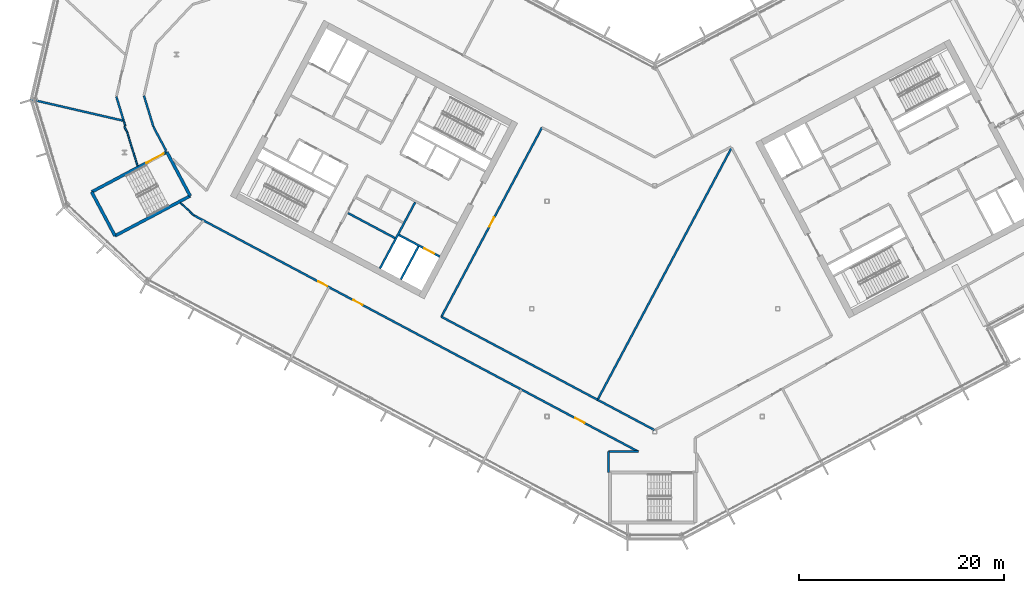
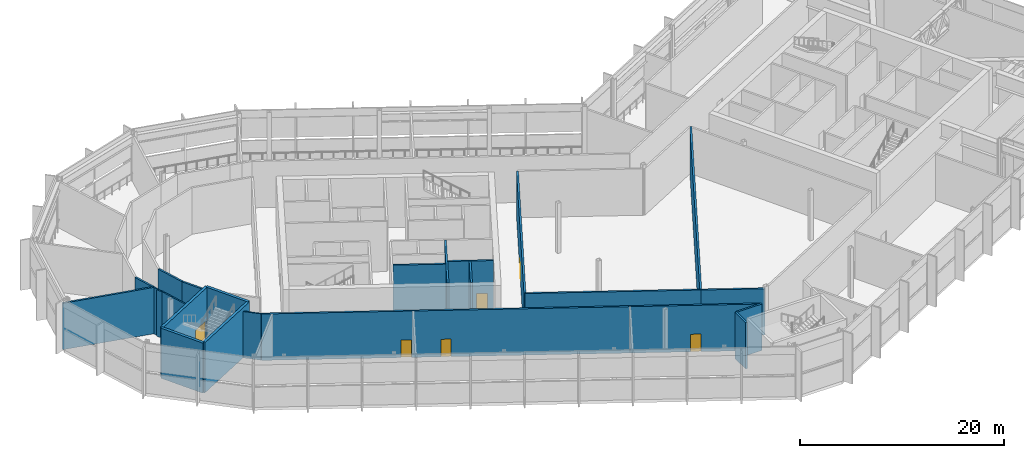
# One storey, part 14 of 33: 24 walls, 6 doors, 6 openings.
"""IFC4 building model written with IfcOpenShell, lengths in metres."""

from ifc_helpers import new_model, si_unit, direction, frame, frame_2d, origin, place, context, subcontext, project, spatial, rectangle, extrude, material, layer, layer_set, type_object, element, fill, save


model = new_model("IFC4")

# Units and contexts
model_context = context("Model", 3, precision=1e-05, world=origin(), true_north=direction((0.0, 1.0)))
body_context = subcontext(model_context, "Body", "Model", "MODEL_VIEW")
ifc_project = project(units=[si_unit("LENGTHUNIT", "METRE"), si_unit("AREAUNIT", "SQUARE_METRE"), si_unit("VOLUMEUNIT", "CUBIC_METRE"), si_unit("PLANEANGLEUNIT", "RADIAN"), si_unit("MASSUNIT", "GRAM", prefix="KILO")], contexts=[model_context])

# Site, building, storey
site_placement = place(None, origin())
site = spatial("IfcSite", under=ifc_project, at=site_placement, CompositionType="ELEMENT")
building_placement = place(site_placement, origin())
building = spatial("IfcBuilding", under=site, at=building_placement, Name="Cormorant Relay Tower", CompositionType="ELEMENT")
storey_placement = place(building_placement, frame((0.0, 0.0, 252.0)))
storey = spatial("IfcBuildingStorey", under=building, at=storey_placement, Name="L56", CompositionType="ELEMENT", Elevation=252.0)

# Walls
ifc_material_1 = material(Name="Concrete 40 MPa", Category="concrete")
ifc_layer_1 = layer(ifc_material_1, 0.199951171875)
ifc_layer_set_1 = layer_set([ifc_layer_1], Name="Core internal wall 200")
wall_type_1 = type_object("IfcWallType", Name="Core internal wall 200", PredefinedType="SOLIDWALL", material=ifc_layer_set_1)
wall_1_placement = place(storey_placement, frame((-25.326416015625, 6.8974609375, 0.0), z_axis=(0.0, 0.0, 1.0), x_axis=(-0.882953967957, 0.469459572775, 0.0)))
element("IfcWall", 1, at=wall_1_placement, inside=storey, type_object=wall_type_1, Name="L56 core A shaft and room wall", PredefinedType="SOLIDWALL", context=body_context, shape_type="SweptSolid", body=[
    extrude(rectangle(XDim=5.199951171875, YDim=0.199951171875, at=frame_2d((2.60009765625, 0.0))), origin(), (0.0, 0.0, 1.0), 6.0),
])
ifc_material_2 = material(Name="Concrete 50 MPa", Category="concrete")
ifc_layer_2 = layer(ifc_material_2, 0.199951171875)
ifc_layer_set_2 = layer_set([ifc_layer_2], Name="Core shaft wall 200")
wall_type_2 = type_object("IfcWallType", Name="Core shaft wall 200", PredefinedType="SHEAR", material=ifc_layer_set_2)
wall_2_placement = place(storey_placement, frame((-23.04296875, 6.07958984375, 0.0), z_axis=(0.0, 0.0, 1.0), x_axis=(-0.469494272526, -0.882935517501, 0.0)))
element("IfcWall", 2, at=wall_2_placement, inside=storey, type_object=wall_type_2, Name="L56 core A shaft wall", PredefinedType="SHEAR", context=body_context, shape_type="SweptSolid", body=[
    extrude(rectangle(XDim=3.64990234375, YDim=0.199951171875, at=frame_2d((1.824951171875, 0.0))), origin(), (0.0, 0.0, 1.0), 6.0),
])
wall_3_placement = place(storey_placement, frame((-23.360107421875, 10.38232421875, 0.0), z_axis=(0.0, 0.0, 1.0), x_axis=(-0.469480409012, -0.88294288918, 0.0)))
element("IfcWall", 3, at=wall_3_placement, inside=storey, type_object=wall_type_2, Name="L56 core A shaft wall", PredefinedType="SHEAR", context=body_context, shape_type="SweptSolid", body=[
    extrude(rectangle(XDim=7.300048828125, YDim=0.199951171875, at=frame_2d((3.64990234375, 0.0))), origin(), (0.0, 0.0, 1.0), 6.0),
])

# Wall, opening, door
wall_4_placement = place(storey_placement, frame((-20.96533203125, 5.088134765625, 0.0), z_axis=(0.0, 0.0, 1.0), x_axis=(-0.882925986334, 0.469512196493, 0.0)))
wall_4 = element("IfcWall", 4, at=wall_4_placement, inside=storey, type_object=wall_type_2, Name="L56 core A shaft wall", PredefinedType="SHEAR", context=body_context, shape_type="SweptSolid", body=[
    extrude(rectangle(XDim=4.5, YDim=0.199951171875, at=frame_2d((2.25, 0.0))), origin(), (0.0, 0.0, 1.0), 6.0),
])
opening_1_placement = place(wall_4_placement, frame((0.60009765625, 0.0, 0.0)))
opening_1 = element("IfcOpeningElement", 5, at=opening_1_placement, cuts=wall_4, Name="Opening LD1-035", PredefinedType="OPENING", context=body_context, shape_type="SweptSolid", body=[
    extrude(rectangle(XDim=1.10009765625, YDim=2.10009765625, at=frame_2d((0.550048828125, 1.050048828125))), frame((0.0, 0.10986328125, 0.0), z_axis=(0.0, -1.0, 0.0), x_axis=(1.0, 0.0, 0.0)), (0.0, 0.0, 1.0), 0.219970703125),
])
ifc_material_3 = material(Name="Stainless steel 316", Category="steel")
door_type_1 = type_object("IfcDoorType", Name="Lift landing door 1100x2100", OperationType="DOUBLE_DOOR_SLIDING", PredefinedType="DOOR", material=ifc_material_3)
door_1_placement = place(opening_1_placement, origin())
door_1 = element("IfcDoor", 6, at=door_1_placement, inside=storey, type_object=door_type_1, Name="FF1 landing door", OperationType="DOUBLE_DOOR_SLIDING", OverallHeight=2.10009765625, OverallWidth=1.10009765625, PredefinedType="DOOR", context=body_context, shape_type="SweptSolid", body=[
    extrude(rectangle(XDim=1.10009765625, YDim=2.10009765625, at=frame_2d((0.550048828125, 1.050048828125))), frame((0.0, 0.02490234375, 0.0), z_axis=(0.0, -1.0, 0.0), x_axis=(1.0, 0.0, 0.0)), (0.0, 0.0, 1.0), 0.050048828125),
])
fill(opening_1, door_1)

# Walls
ifc_material_4 = material(Name="Fire-rated gypsum board partition")
ifc_layer_3 = layer(ifc_material_4, 0.199951171875)
ifc_layer_set_3 = layer_set([ifc_layer_3], Name="Fire-rated gypsum partition 200")
wall_type_3 = type_object("IfcWallType", Name="Fire-rated gypsum partition 200", PredefinedType="PARTITIONING", material=ifc_layer_set_3)
wall_5_placement = place(storey_placement, frame((-51.77490234375, 18.327880859375, 0.0), z_axis=(0.0, 0.0, 1.0), x_axis=(-0.974364013848, 0.224977262225, 0.0)))
element("IfcWall", 7, at=wall_5_placement, inside=storey, type_object=wall_type_3, Name="wall/L56/part/1", PredefinedType="PARTITIONING", context=body_context, shape_type="SweptSolid", body=[
    extrude(rectangle(XDim=9.387939453125, YDim=0.199951171875, at=frame_2d((4.69384765625, 0.0))), origin(), (0.0, 0.0, 1.0), 5.550048828125),
])
wall_6_placement = place(storey_placement, frame((-52.493896484375, 20.680908203125, 0.0), z_axis=(0.0, 0.0, 1.0), x_axis=(0.292022408241, -0.956411476868, 0.0)))
element("IfcWall", 8, at=wall_6_placement, inside=storey, type_object=wall_type_3, Name="wall/L56/part/4", PredefinedType="PARTITIONING", context=body_context, shape_type="SweptSolid", body=[
    extrude(rectangle(XDim=2.403564453125, YDim=0.199951171875, at=frame_2d((1.20166015625, 0.0))), origin(), (0.0, 0.0, 1.0), 5.550048828125),
])
wall_7_placement = place(storey_placement, frame((-47.63720703125, 15.40869140625, 0.0), z_axis=(0.0, 0.0, 1.0), x_axis=(-0.469694336193, 0.882829106084, 0.0)))
element("IfcWall", 9, at=wall_7_placement, inside=storey, type_object=wall_type_3, Name="wall/L56/part/15", PredefinedType="PARTITIONING", context=body_context, shape_type="SweptSolid", body=[
    extrude(rectangle(XDim=2.637451171875, YDim=0.199951171875, at=frame_2d((1.31884765625, 0.0))), origin(), (0.0, 0.0, 1.0), 5.550048828125),
])
wall_8_placement = place(storey_placement, frame((-48.8759765625, 17.737060546875, 0.0), z_axis=(0.0, 0.0, 1.0), x_axis=(-0.292146284928, 0.956373644661, 0.0)))
element("IfcWall", 10, at=wall_8_placement, inside=storey, type_object=wall_type_3, Name="wall/L56/part/16", PredefinedType="PARTITIONING", context=body_context, shape_type="SweptSolid", body=[
    extrude(rectangle(XDim=3.176513671875, YDim=0.199951171875, at=frame_2d((1.58837890625, 0.0))), origin(), (0.0, 0.0, 1.0), 5.550048828125),
])

# Wall, openings, doors
wall_9_placement = place(storey_placement, frame((-12.9951171875, -7.87109375, 0.0), z_axis=(0.0, 0.0, 1.0), x_axis=(-0.882943167342, 0.469479885878, 0.0)))
wall_9 = element("IfcWall", 11, at=wall_9_placement, inside=storey, type_object=wall_type_3, Name="wall/L56/part/23", PredefinedType="PARTITIONING", context=body_context, shape_type="SweptSolid", body=[
    extrude(rectangle(XDim=36.17431640625, YDim=0.199951171875, at=frame_2d((18.087158203125, 0.0))), origin(), (0.0, 0.0, 1.0), 5.550048828125),
])
opening_2_placement = place(wall_9_placement, frame((21.449951171875, 0.0, 0.0)))
opening_2 = element("IfcOpeningElement", 12, at=opening_2_placement, cuts=wall_9, Name="Opening FD1-182", PredefinedType="OPENING", context=body_context, shape_type="SweptSolid", body=[
    extrude(rectangle(XDim=1.0, YDim=2.10009765625, at=frame_2d((0.5, 1.050048828125))), frame((0.0, 0.10986328125, 0.0), z_axis=(0.0, -1.0, 0.0), x_axis=(1.0, 0.0, 0.0)), (0.0, 0.0, 1.0), 0.219970703125),
])
opening_3_placement = place(wall_9_placement, frame((17.550048828125, 0.0, 0.0)))
opening_3 = element("IfcOpeningElement", 13, at=opening_3_placement, cuts=wall_9, Name="Opening FD1-183", PredefinedType="OPENING", context=body_context, shape_type="SweptSolid", body=[
    extrude(rectangle(XDim=1.0, YDim=2.10009765625, at=frame_2d((0.5, 1.050048828125))), frame((0.0, 0.10986328125, 0.0), z_axis=(0.0, -1.0, 0.0), x_axis=(1.0, 0.0, 0.0)), (0.0, 0.0, 1.0), 0.219970703125),
])
ifc_material_5 = material(Name="Fire-rated steel door", Category="steel")
door_type_2 = type_object("IfcDoorType", Name="Fire door 1000 x 2100", OperationType="SINGLE_SWING_LEFT", PredefinedType="DOOR", material=ifc_material_5)
door_2_placement = place(opening_2_placement, origin())
door_2 = element("IfcDoor", 14, at=door_2_placement, inside=storey, type_object=door_type_2, Name="door/L56/14", OperationType="SINGLE_SWING_LEFT", OverallHeight=2.10009765625, OverallWidth=1.0, PredefinedType="DOOR", context=body_context, shape_type="SweptSolid", body=[
    extrude(rectangle(XDim=1.0, YDim=2.10009765625, at=frame_2d((0.5, 1.050048828125))), frame((0.0, 0.02490234375, 0.0), z_axis=(0.0, -1.0, 0.0), x_axis=(1.0, 0.0, 0.0)), (0.0, 0.0, 1.0), 0.050048828125),
])
fill(opening_2, door_2)
door_3_placement = place(opening_3_placement, origin())
door_3 = element("IfcDoor", 15, at=door_3_placement, inside=storey, type_object=door_type_2, Name="door/L56/15", OperationType="SINGLE_SWING_LEFT", OverallHeight=2.10009765625, OverallWidth=1.0, PredefinedType="DOOR", context=body_context, shape_type="SweptSolid", body=[
    extrude(rectangle(XDim=1.0, YDim=2.10009765625, at=frame_2d((0.5, 1.050048828125))), frame((0.0, 0.02490234375, 0.0), z_axis=(0.0, -1.0, 0.0), x_axis=(1.0, 0.0, 0.0)), (0.0, 0.0, 1.0), 0.050048828125),
])
fill(opening_3, door_3)

# Wall, opening, door
wall_10_placement = place(storey_placement, frame((-12.9951171875, -7.87109375, 0.0), z_axis=(0.0, 0.0, 1.0), x_axis=(0.883081189118, -0.469220218475, 0.0)))
wall_10 = element("IfcWall", 16, at=wall_10_placement, inside=storey, type_object=wall_type_3, Name="wall/L56/part/36", PredefinedType="PARTITIONING", context=body_context, shape_type="SweptSolid", body=[
    extrude(rectangle(XDim=12.908447265625, YDim=0.199951171875, at=frame_2d((6.4541015625, 0.0))), origin(), (0.0, 0.0, 1.0), 5.550048828125),
])
opening_4_placement = place(wall_10_placement, frame((5.949951171875, 0.0, 0.0)))
opening_4 = element("IfcOpeningElement", 17, at=opening_4_placement, cuts=wall_10, Name="Opening FD1-184", PredefinedType="OPENING", context=body_context, shape_type="SweptSolid", body=[
    extrude(rectangle(XDim=1.0, YDim=2.10009765625, at=frame_2d((0.5, 1.050048828125))), frame((0.0, 0.10986328125, 0.0), z_axis=(0.0, -1.0, 0.0), x_axis=(1.0, 0.0, 0.0)), (0.0, 0.0, 1.0), 0.219970703125),
])
door_4_placement = place(opening_4_placement, frame((1.0, 0.0, 0.0), z_axis=(0.0, 0.0, 1.0), x_axis=(-1.0, 0.0, 0.0)))
door_4 = element("IfcDoor", 18, at=door_4_placement, inside=storey, type_object=door_type_2, Name="door/L56/16", OperationType="SINGLE_SWING_LEFT", OverallHeight=2.10009765625, OverallWidth=1.0, PredefinedType="DOOR", context=body_context, shape_type="SweptSolid", body=[
    extrude(rectangle(XDim=1.0, YDim=2.10009765625, at=frame_2d((0.5, 1.050048828125))), frame((0.0, 0.02490234375, 0.0), z_axis=(0.0, -1.0, 0.0), x_axis=(1.0, 0.0, 0.0)), (0.0, 0.0, 1.0), 0.050048828125),
])
fill(opening_4, door_4)

# Walls
wall_11_placement = place(storey_placement, frame((-1.595947265625, -13.927978515625, 0.0), z_axis=(0.0, 0.0, 1.0), x_axis=(-0.999999491134, 0.001008826725, 0.0)))
element("IfcWall", 19, at=wall_11_placement, inside=storey, type_object=wall_type_3, Name="wall/L56/part/37", PredefinedType="PARTITIONING", context=body_context, shape_type="SweptSolid", body=[
    extrude(rectangle(XDim=2.904052734375, YDim=0.199951171875, at=frame_2d((1.4521484375, 0.0))), origin(), (0.0, 0.0, 1.0), 5.550048828125),
])
wall_12_placement = place(storey_placement, frame((7.5009765625, 15.712890625, 0.0), z_axis=(0.0, 0.0, 1.0), x_axis=(-0.46948341094, -0.882941292982, 0.0)))
element("IfcWall", 20, at=wall_12_placement, inside=storey, type_object=wall_type_3, Name="wall/L56/part/38", PredefinedType="PARTITIONING", context=body_context, shape_type="SweptSolid", body=[
    extrude(rectangle(XDim=27.845458984375, YDim=0.199951171875, at=frame_2d((13.9228515625, 0.0))), origin(), (0.0, 0.0, 1.0), 5.550048828125),
])
wall_13_placement = place(storey_placement, frame((-5.572021484375, -8.873046875, 0.0), z_axis=(0.0, 0.0, 1.0), x_axis=(-0.882928328785, 0.469507791446, 0.0)))
element("IfcWall", 21, at=wall_13_placement, inside=storey, type_object=wall_type_3, Name="wall/L56/part/39", PredefinedType="PARTITIONING", context=body_context, shape_type="SweptSolid", body=[
    extrude(rectangle(XDim=17.24609375, YDim=0.199951171875, at=frame_2d((8.623046875, 0.0))), origin(), (0.0, 0.0, 1.0), 5.550048828125),
])

# Wall, opening, door
wall_14_placement = place(storey_placement, frame((-20.799072265625, -0.77587890625, 0.0), z_axis=(0.0, 0.0, 1.0), x_axis=(0.469488010228, 0.882938847402, 0.0)))
wall_14 = element("IfcWall", 22, at=wall_14_placement, inside=storey, type_object=wall_type_3, Name="wall/L56/part/40", PredefinedType="PARTITIONING", context=body_context, shape_type="SweptSolid", body=[
    extrude(rectangle(XDim=20.8994140625, YDim=0.199951171875, at=frame_2d((10.44970703125, 0.0))), origin(), (0.0, 0.0, 1.0), 5.550048828125),
])
opening_5_placement = place(wall_14_placement, frame((9.949951171875, 0.0, 0.0)))
opening_5 = element("IfcOpeningElement", 23, at=opening_5_placement, cuts=wall_14, Name="Opening FD1-185", PredefinedType="OPENING", context=body_context, shape_type="SweptSolid", body=[
    extrude(rectangle(XDim=1.0, YDim=2.10009765625, at=frame_2d((0.5, 1.050048828125))), frame((0.0, 0.10986328125, 0.0), z_axis=(0.0, -1.0, 0.0), x_axis=(1.0, 0.0, 0.0)), (0.0, 0.0, 1.0), 0.219970703125),
])
door_5_placement = place(opening_5_placement, frame((1.0, 0.0, 0.0), z_axis=(0.0, 0.0, 1.0), x_axis=(-1.0, 0.0, 0.0)))
door_5 = element("IfcDoor", 24, at=door_5_placement, inside=storey, type_object=door_type_2, Name="door/L56/17", OperationType="SINGLE_SWING_LEFT", OverallHeight=2.10009765625, OverallWidth=1.0, PredefinedType="DOOR", context=body_context, shape_type="SweptSolid", body=[
    extrude(rectangle(XDim=1.0, YDim=2.10009765625, at=frame_2d((0.5, 1.050048828125))), frame((0.0, 0.02490234375, 0.0), z_axis=(0.0, -1.0, 0.0), x_axis=(1.0, 0.0, 0.0)), (0.0, 0.0, 1.0), 0.050048828125),
])
fill(opening_5, door_5)

# Walls
wall_15_placement = place(storey_placement, frame((-0.01806640625, -11.825927734375, 0.0), z_axis=(0.0, 0.0, 1.0), x_axis=(-0.882961394428, 0.469445604889, 0.0)))
element("IfcWall", 25, at=wall_15_placement, inside=storey, type_object=wall_type_3, Name="wall/L56/part/45", PredefinedType="PARTITIONING", context=body_context, shape_type="SweptSolid", body=[
    extrude(rectangle(XDim=6.2900390625, YDim=0.199951171875, at=frame_2d((3.14501953125, 0.0))), origin(), (0.0, 0.0, 1.0), 5.550048828125),
])
wall_16_placement = place(storey_placement, frame((-4.5, -13.925048828125, 0.0), z_axis=(0.0, 0.0, 1.0), x_axis=(0.0, -1.0, 0.0)))
element("IfcWall", 26, at=wall_16_placement, inside=storey, type_object=wall_type_3, Name="wall/L56/part/46", PredefinedType="PARTITIONING", context=body_context, shape_type="SweptSolid", body=[
    extrude(rectangle(XDim=2.050048828125, YDim=0.199951171875, at=frame_2d((1.02490234375, 0.0))), origin(), (0.0, 0.0, 1.0), 5.550048828125),
])
ifc_material_6 = material(Name="Gypsum board partition")
ifc_layer_4 = layer(ifc_material_6, 0.14990234375)
ifc_layer_set_4 = layer_set([ifc_layer_4], Name="Gypsum board partition 150")
wall_type_4 = type_object("IfcWallType", Name="Gypsum board partition 150", PredefinedType="PARTITIONING", material=ifc_layer_set_4)
wall_17_placement = place(storey_placement, frame((-50.427978515625, 13.919921875, 0.0), z_axis=(0.0, 0.0, 1.0), x_axis=(-0.29215240743, 0.956371774381, 0.0)))
element("IfcWall", 27, at=wall_17_placement, inside=storey, type_object=wall_type_4, Name="wall/L56/part/5", PredefinedType="PARTITIONING", context=body_context, shape_type="SweptSolid", body=[
    extrude(rectangle(XDim=3.470458984375, YDim=0.14990234375, at=frame_2d((1.7353515625, 0.0))), origin(), (0.0, 0.0, 1.0), 5.550048828125),
])
wall_18_placement = place(storey_placement, frame((-51.44189453125, 17.239013671875, 0.0), z_axis=(0.0, 0.0, 1.0), x_axis=(-0.470009270926, 0.882661478282, 0.0)))
element("IfcWall", 28, at=wall_18_placement, inside=storey, type_object=wall_type_4, Name="wall/L56/part/6", PredefinedType="PARTITIONING", context=body_context, shape_type="SweptSolid", body=[
    extrude(rectangle(XDim=0.613037109375, YDim=0.14990234375, at=frame_2d((0.306640625, 0.0))), origin(), (0.0, 0.0, 1.0), 5.550048828125),
])
wall_19_placement = place(storey_placement, frame((-51.62255859375, 17.827880859375, 0.0), z_axis=(0.0, 0.0, 1.0), x_axis=(-0.292368373338, 0.956305774463, 0.0)))
element("IfcWall", 29, at=wall_19_placement, inside=storey, type_object=wall_type_4, Name="wall/L56/part/7", PredefinedType="PARTITIONING", context=body_context, shape_type="SweptSolid", body=[
    extrude(rectangle(XDim=0.57958984375, YDim=0.14990234375, at=frame_2d((0.289794921875, 0.0))), origin(), (0.0, 0.0, 1.0), 5.550048828125),
])
wall_20_placement = place(storey_placement, frame((-44.93505859375, 9.112060546875, 0.0), z_axis=(0.0, 0.0, 1.0), x_axis=(-0.731023795843, 0.682351969229, 0.0)))
element("IfcWall", 30, at=wall_20_placement, inside=storey, type_object=wall_type_4, Name="wall/L56/part/24", PredefinedType="PARTITIONING", context=body_context, shape_type="SweptSolid", body=[
    extrude(rectangle(XDim=1.8056640625, YDim=0.14990234375, at=frame_2d((0.90283203125, 0.0))), origin(), (0.0, 0.0, 1.0), 5.550048828125),
])
ifc_material_7 = material(Name="Concrete 50 MPa", Category="concrete")
ifc_layer_5 = layer(ifc_material_7, 0.300048828125)
ifc_layer_set_5 = layer_set([ifc_layer_5], Name="Remote stair wall 300")
wall_type_5 = type_object("IfcWallType", Name="Remote stair wall 300", PredefinedType="SHEAR", material=ifc_layer_set_5)
wall_21_placement = place(storey_placement, frame((-47.57421875, 15.28955078125, 0.0), z_axis=(0.0, 0.0, 1.0), x_axis=(0.469443498566, -0.882962514297, 0.0)))
element("IfcWall", 31, at=wall_21_placement, inside=storey, type_object=wall_type_5, Name="L56 exit stair RP1 wall", PredefinedType="SHEAR", context=body_context, shape_type="SweptSolid", body=[
    extrude(rectangle(XDim=4.85009765625, YDim=0.300048828125, at=frame_2d((2.425048828125, 0.0))), origin(), (0.0, 0.0, 1.0), 6.0),
])
wall_22_placement = place(storey_placement, frame((-45.29736328125, 11.007080078125, 0.0), z_axis=(0.0, 0.0, 1.0), x_axis=(-0.882951519127, -0.469464178475, 0.0)))
element("IfcWall", 32, at=wall_22_placement, inside=storey, type_object=wall_type_5, Name="L56 exit stair RP1 wall", PredefinedType="SHEAR", context=body_context, shape_type="SweptSolid", body=[
    extrude(rectangle(XDim=8.2998046875, YDim=0.300048828125, at=frame_2d((4.14990234375, 0.0))), origin(), (0.0, 0.0, 1.0), 6.0),
])
wall_23_placement = place(storey_placement, frame((-52.625732421875, 7.110595703125, 0.0), z_axis=(0.0, 0.0, 1.0), x_axis=(-0.469464364128, 0.882951420416, 0.0)))
element("IfcWall", 33, at=wall_23_placement, inside=storey, type_object=wall_type_5, Name="L56 exit stair RP1 wall", PredefinedType="SHEAR", context=body_context, shape_type="SweptSolid", body=[
    extrude(rectangle(XDim=4.849853515625, YDim=0.300048828125, at=frame_2d((2.4248046875, 0.0))), origin(), (0.0, 0.0, 1.0), 6.0),
])

# Wall, opening, door
wall_24_placement = place(storey_placement, frame((-54.902587890625, 11.392822265625, 0.0), z_axis=(0.0, 0.0, 1.0), x_axis=(0.882939326045, 0.469487110071, 0.0)))
wall_24 = element("IfcWall", 34, at=wall_24_placement, inside=storey, type_object=wall_type_5, Name="L56 exit stair RP1 wall", PredefinedType="SHEAR", context=body_context, shape_type="SweptSolid", body=[
    extrude(rectangle(XDim=8.300048828125, YDim=0.300048828125, at=frame_2d((4.14990234375, 0.0))), origin(), (0.0, 0.0, 1.0), 6.0),
])
opening_6_placement = place(wall_24_placement, frame((6.050048828125, 0.0, 0.0)))
opening_6 = element("IfcOpeningElement", 35, at=opening_6_placement, cuts=wall_24, Name="Opening CDE-011", PredefinedType="OPENING", context=body_context, shape_type="SweptSolid", body=[
    extrude(rectangle(XDim=1.89990234375, YDim=2.10009765625, at=frame_2d((0.949951171875, 1.050048828125))), frame((0.0, 0.159912109375, 0.0), z_axis=(0.0, -1.0, 0.0), x_axis=(1.0, 0.0, 0.0)), (0.0, 0.0, 1.0), 0.320068359375),
])
ifc_material_8 = material(Name="Steel fire door", Category="steel")
door_type_3 = type_object("IfcDoorType", Name="Remote stair door 1900x2100", OperationType="DOUBLE_DOOR_SINGLE_SWING", PredefinedType="DOOR", material=ifc_material_8)
door_6_placement = place(opening_6_placement, frame((1.89990234375, 0.0, 0.0), z_axis=(0.0, 0.0, 1.0), x_axis=(-1.0, 0.0, 0.0)))
door_6 = element("IfcDoor", 36, at=door_6_placement, inside=storey, type_object=door_type_3, Name="Exit stair RP1 door", OperationType="DOUBLE_DOOR_SINGLE_SWING", OverallHeight=2.10009765625, OverallWidth=1.89990234375, PredefinedType="DOOR", context=body_context, shape_type="SweptSolid", body=[
    extrude(rectangle(XDim=1.89990234375, YDim=2.10009765625, at=frame_2d((0.949951171875, 1.050048828125))), frame((0.0, 0.02490234375, 0.0), z_axis=(0.0, -1.0, 0.0), x_axis=(1.0, 0.0, 0.0)), (0.0, 0.0, 1.0), 0.050048828125),
])
fill(opening_6, door_6)

save(model, "model.ifc")
